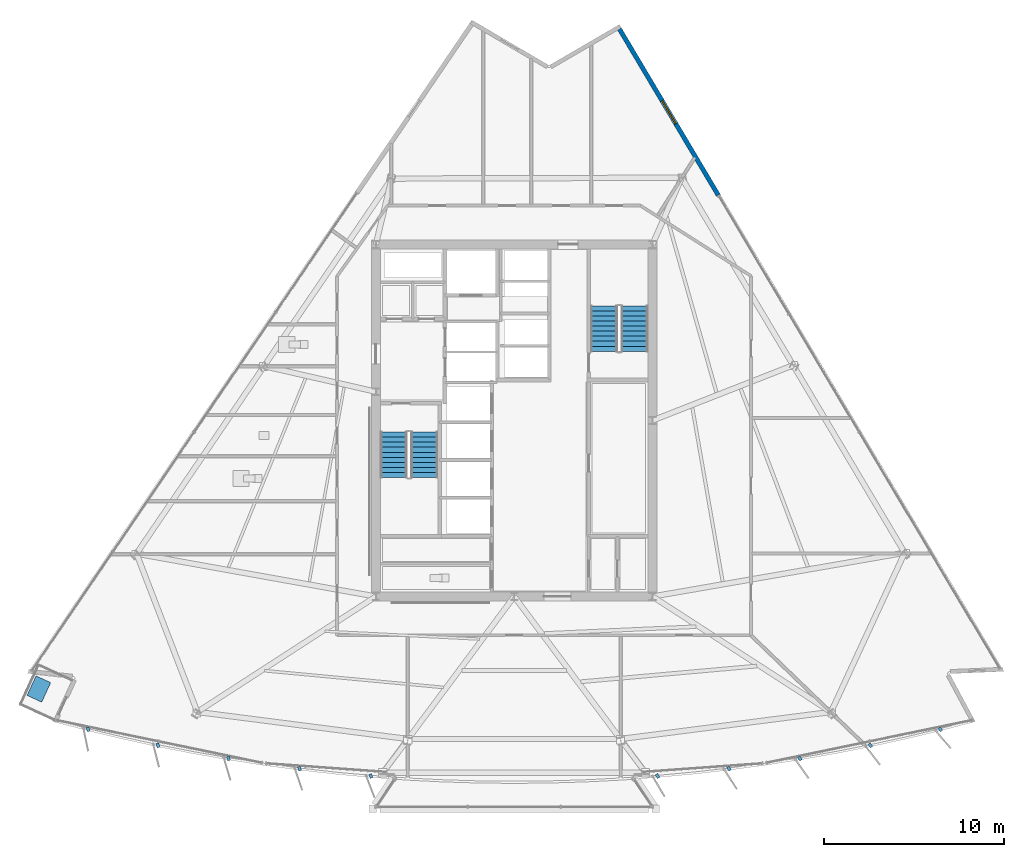
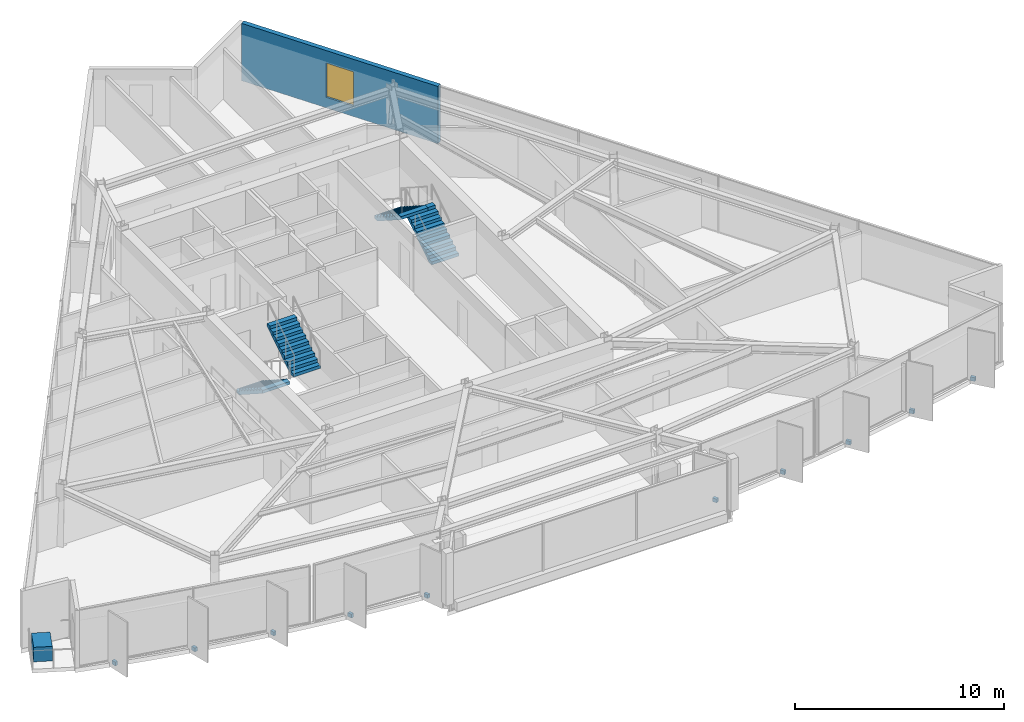
# One storey, part 11 of 16: 11 discrete accessories, 4 stair flights, 1 wall, 1 window, 1 opening, 2 elements without a shape of their own.
"""IFC4 building model written with IfcOpenShell, lengths in metres."""

from ifc_helpers import new_model, si_unit, direction, frame, frame_2d, origin, origin_2d, place, context, subcontext, project, spatial, polyline, rectangle, outline, extrude, material, layer, layer_set, type_object, element, fill, aggregate, save


model = new_model("IFC4")

# Units and contexts
model_context = context("Model", 3, precision=1e-05, world=origin(), true_north=direction((0.0, 1.0)))
body_context = subcontext(model_context, "Body", "Model", "MODEL_VIEW")
ifc_project = project(units=[si_unit("LENGTHUNIT", "METRE"), si_unit("AREAUNIT", "SQUARE_METRE"), si_unit("VOLUMEUNIT", "CUBIC_METRE"), si_unit("PLANEANGLEUNIT", "RADIAN"), si_unit("MASSUNIT", "GRAM", prefix="KILO")], contexts=[model_context])

# Site, building, storey
site_placement = place(None, origin())
site = spatial("IfcSite", under=ifc_project, at=site_placement, CompositionType="ELEMENT")
building_placement = place(site_placement, origin())
building = spatial("IfcBuilding", under=site, at=building_placement, Name="Savorim Split Tower", CompositionType="ELEMENT")
storey_placement = place(building_placement, frame((0.0, 0.0, 160.199951171875)))
storey = spatial("IfcBuildingStorey", under=building, at=storey_placement, Name="L42", CompositionType="ELEMENT", Elevation=160.199951171875)

# Wall, opening, window
ifc_material_1 = material(Name="Precast concrete C40/50", Category="concrete")
ifc_layer = layer(ifc_material_1, 0.25)
ifc_layer_set = layer_set([ifc_layer], Name="WAL-EXT-SPN250")
wall_type = type_object("IfcWallType", Name="WAL-EXT-SPN250", PredefinedType="SOLIDWALL", material=ifc_layer_set)
wall_placement = place(storey_placement, frame((5.86181640625, 22.1904296875, 0.0), z_axis=(0.0, 0.0, 1.0), x_axis=(0.511083986456, -0.859530778267, 0.0)))
wall = element("IfcWall", 1, at=wall_placement, inside=storey, type_object=wall_type, Name="L42 East Operable Window Pier", PredefinedType="SOLIDWALL", context=body_context, shape_type="SweptSolid", body=[
    extrude(rectangle(XDim=10.778076171875, YDim=0.25, at=frame_2d((5.38916015625, 0.0))), origin(), (0.0, 0.0, 1.0), 3.35009765625),
])
opening_placement = place(wall_placement, frame((4.63916015625, 0.0, 0.6201171875)))
opening = element("IfcOpeningElement", 2, at=opening_placement, cuts=wall, Name="Opening WN-06", PredefinedType="OPENING", context=body_context, shape_type="SweptSolid", body=[
    extrude(rectangle(XDim=1.5, YDim=2.0, at=frame_2d((0.75, 1.0))), frame((0.0, 0.135009765625, 0.0), z_axis=(0.0, -1.0, 0.0), x_axis=(1.0, 0.0, 0.0)), (0.0, 0.0, 1.0), 0.27001953125),
])
ifc_material_2 = material(Name="Low-E Operable Double Glazing", Category="glass")
window_type = type_object("IfcWindowType", Name="WIN-TWR-1500x2000", PartitioningType="SINGLE_PANEL", PredefinedType="WINDOW", material=ifc_material_2)
window_placement = place(opening_placement, origin())
window = element("IfcWindow", 3, at=window_placement, inside=storey, type_object=window_type, Name="L42 East Operable Ventilation Window", OverallHeight=2.0, OverallWidth=1.5, PartitioningType="SINGLE_PANEL", PredefinedType="WINDOW", context=body_context, shape_type="SweptSolid", body=[
    extrude(rectangle(XDim=1.5, YDim=2.0, at=frame_2d((0.75, 1.0))), frame((0.0, 0.030029296875, 0.0), z_axis=(0.0, -1.0, 0.0), x_axis=(1.0, 0.0, 0.0)), (0.0, 0.0, 1.0), 0.06005859375),
])
fill(opening, window)

# Stair, stair flights
ifc_material_3 = material(Name="Concrete C50/60", Category="concrete")
stair_type = type_object("IfcStairType", Name="STR-DOG-3600", PredefinedType="HALF_TURN_STAIR", material=ifc_material_3)
stair_1_placement = place(storey_placement, origin())
stair_1 = element("IfcStair", 4, at=stair_1_placement, inside=storey, type_object=stair_type, Name="L42 Core Protected Exit Stair ST-1", PredefinedType="HALF_TURN_STAIR")
stair_flight_type = type_object("IfcStairFlightType", Name="SFL-DOG-3600", PredefinedType="STRAIGHT", material=ifc_material_3)
stair_flight_1_placement = place(storey_placement, frame((-6.699951171875, -0.25, 0.0), z_axis=(0.0, 0.0, 1.0), x_axis=(0.0, -1.0, 0.0)))
stair_flight_1 = element("IfcStairFlight", 5, at=stair_flight_1_placement, type_object=stair_flight_type, Name="ST-1 flight 1", NumberOfRisers=10, NumberOfTreads=9, PredefinedType="STRAIGHT", RiserHeight=0.18, TreadLength=0.28, context=body_context, shape_type="SweptSolid", body=[
    extrude(outline(polyline([(0.0, 0.0), (0.0, 0.179931640625), (0.280029296875, 0.179931640625), (0.280029296875, 0.360107421875), (0.56005859375, 0.360107421875), (0.56005859375, 0.5400390625), (0.840087890625, 0.5400390625), (0.840087890625, 0.719970703125), (1.1201171875, 0.719970703125), (1.1201171875, 0.89990234375), (1.39990234375, 0.89990234375), (1.39990234375, 1.080078125), (1.679931640625, 1.080078125), (1.679931640625, 1.260009765625), (1.9599609375, 1.260009765625), (1.9599609375, 1.43994140625), (2.239990234375, 1.43994140625), (2.239990234375, 1.6201171875), (2.52001953125, 1.6201171875), (2.52001953125, 1.800048828125), (2.52001953125, 1.44189453125), (0.277099609375, 0.0), (0.0, 0.0)])), frame((0.0, 0.75, 0.0), z_axis=(0.0, -1.0, 0.0), x_axis=(1.0, 0.0, 0.0)), (0.0, 0.0, 1.0), 1.5),
])
stair_flight_2_placement = place(storey_placement, frame((-5.0, -2.77001953125, 1.800048828125), z_axis=(0.0, 0.0, 1.0), x_axis=(0.0, 1.0, 0.0)))
stair_flight_2 = element("IfcStairFlight", 6, at=stair_flight_2_placement, type_object=stair_flight_type, Name="ST-1 flight 2", NumberOfRisers=10, NumberOfTreads=9, PredefinedType="STRAIGHT", RiserHeight=0.18, TreadLength=0.28, context=body_context, shape_type="SweptSolid", body=[
    extrude(outline(polyline([(0.0, 0.0), (0.0, 0.179931640625), (0.280029296875, 0.179931640625), (0.280029296875, 0.360107421875), (0.56005859375, 0.360107421875), (0.56005859375, 0.5400390625), (0.840087890625, 0.5400390625), (0.840087890625, 0.719970703125), (1.1201171875, 0.719970703125), (1.1201171875, 0.89990234375), (1.39990234375, 0.89990234375), (1.39990234375, 1.080078125), (1.679931640625, 1.080078125), (1.679931640625, 1.260009765625), (1.9599609375, 1.260009765625), (1.9599609375, 1.43994140625), (2.239990234375, 1.43994140625), (2.239990234375, 1.6201171875), (2.52001953125, 1.6201171875), (2.52001953125, 1.800048828125), (2.52001953125, 1.44189453125), (0.277099609375, 0.0), (0.0, 0.0)])), frame((0.0, 0.75, 0.0), z_axis=(0.0, -1.0, 0.0), x_axis=(1.0, 0.0, 0.0)), (0.0, 0.0, 1.0), 1.5),
])
aggregate(stair_1, [stair_flight_1, stair_flight_2])

stair_2_placement = place(storey_placement, origin())
stair_2 = element("IfcStair", 7, at=stair_2_placement, inside=storey, type_object=stair_type, Name="L42 Core Protected Exit Stair ST-2", PredefinedType="HALF_TURN_STAIR")
stair_flight_3_placement = place(storey_placement, frame((6.699951171875, 4.25, 0.0), z_axis=(0.0, 0.0, 1.0), x_axis=(0.0, 1.0, 0.0)))
stair_flight_3 = element("IfcStairFlight", 8, at=stair_flight_3_placement, type_object=stair_flight_type, Name="ST-2 flight 1", NumberOfRisers=10, NumberOfTreads=9, PredefinedType="STRAIGHT", RiserHeight=0.18, TreadLength=0.28, context=body_context, shape_type="SweptSolid", body=[
    extrude(outline(polyline([(0.0, 0.0), (0.0, 0.179931640625), (0.280029296875, 0.179931640625), (0.280029296875, 0.360107421875), (0.56005859375, 0.360107421875), (0.56005859375, 0.5400390625), (0.840087890625, 0.5400390625), (0.840087890625, 0.719970703125), (1.1201171875, 0.719970703125), (1.1201171875, 0.89990234375), (1.39990234375, 0.89990234375), (1.39990234375, 1.080078125), (1.679931640625, 1.080078125), (1.679931640625, 1.260009765625), (1.9599609375, 1.260009765625), (1.9599609375, 1.43994140625), (2.239990234375, 1.43994140625), (2.239990234375, 1.6201171875), (2.52001953125, 1.6201171875), (2.52001953125, 1.800048828125), (2.52001953125, 1.44189453125), (0.277099609375, 0.0), (0.0, 0.0)])), frame((0.0, 0.75, 0.0), z_axis=(0.0, -1.0, 0.0), x_axis=(1.0, 0.0, 0.0)), (0.0, 0.0, 1.0), 1.5),
])
stair_flight_4_placement = place(storey_placement, frame((5.0, 6.77001953125, 1.800048828125), z_axis=(0.0, 0.0, 1.0), x_axis=(0.0, -1.0, 0.0)))
stair_flight_4 = element("IfcStairFlight", 9, at=stair_flight_4_placement, type_object=stair_flight_type, Name="ST-2 flight 2", NumberOfRisers=10, NumberOfTreads=9, PredefinedType="STRAIGHT", RiserHeight=0.18, TreadLength=0.28, context=body_context, shape_type="SweptSolid", body=[
    extrude(outline(polyline([(0.0, 0.0), (0.0, 0.179931640625), (0.280029296875, 0.179931640625), (0.280029296875, 0.360107421875), (0.56005859375, 0.360107421875), (0.56005859375, 0.5400390625), (0.840087890625, 0.5400390625), (0.840087890625, 0.719970703125), (1.1201171875, 0.719970703125), (1.1201171875, 0.89990234375), (1.39990234375, 0.89990234375), (1.39990234375, 1.080078125), (1.679931640625, 1.080078125), (1.679931640625, 1.260009765625), (1.9599609375, 1.260009765625), (1.9599609375, 1.43994140625), (2.239990234375, 1.43994140625), (2.239990234375, 1.6201171875), (2.52001953125, 1.6201171875), (2.52001953125, 1.800048828125), (2.52001953125, 1.44189453125), (0.277099609375, 0.0), (0.0, 0.0)])), frame((0.0, 0.75, 0.0), z_axis=(0.0, -1.0, 0.0), x_axis=(1.0, 0.0, 0.0)), (0.0, 0.0, 1.0), 1.5),
])
aggregate(stair_2, [stair_flight_3, stair_flight_4])

# Discrete accessories
ifc_material_4 = material(Name="Steel S355", Category="steel")
discrete_accessory_type_1 = type_object("IfcDiscreteAccessoryType", Name="ACC-BRK-FIN", PredefinedType="BRACKET", material=ifc_material_4)
for number, where, z_axis, x_axis, name in (
    (10, (-23.720703125, -16.79443359375, -0.18994140625), (0.0, 0.0, 1.0), (0.206721626106, -0.978399800337, 0.0), "L42 Fin Slab-Edge Cleat Bracket 01"),
    (11, (-19.828369140625, -17.685791015625, -0.18994140625), (0.0, 0.0, 1.0), (0.246581250663, -0.969122121727, 0.0), "L42 Fin Slab-Edge Cleat Bracket 02"),
    (12, (-15.902587890625, -18.4169921875, -0.18994140625), (0.0, 0.0, 1.0), (0.286026212504, -0.958221793616, 0.0), "L42 Fin Slab-Edge Cleat Bracket 03"),
    (13, (-11.950439453125, -18.987060546875, -0.18994140625), (0.0, 0.0, 1.0), (0.324993810493, -0.945716143005, 0.0), "L42 Fin Slab-Edge Cleat Bracket 04"),
    (14, (-7.97802734375, -19.39501953125, -0.18994140625), (0.0, 0.0, 1.0), (0.363415461732, -0.931627179817, 0.0), "L42 Fin Slab-Edge Cleat Bracket 05"),
    (15, (7.97802734375, -19.39501953125, -0.18994140625), (0.0, 0.0, 1.0), (0.510391336723, -0.859942255851, 0.0), "L42 Fin Slab-Edge Cleat Bracket 09"),
    (16, (11.950439453125, -18.987060546875, -0.18994140625), (0.0, 0.0, 1.0), (0.545148321708, -0.838339613366, 0.0), "L42 Fin Slab-Edge Cleat Bracket 10"),
    (17, (15.902587890625, -18.4169921875, -0.18994140625), (0.0, 0.0, 1.0), (0.578993757737, -0.815331974414, 0.0), "L42 Fin Slab-Edge Cleat Bracket 11"),
    (18, (19.828369140625, -17.685791015625, -0.18994140625), (0.0, 0.0, 1.0), (0.611868076908, -0.790959832394, 0.0), "L42 Fin Slab-Edge Cleat Bracket 12"),
    (19, (23.720703125, -16.79443359375, -0.18994140625), (0.0, 0.0, 1.0), (0.643719022682, -0.765261928909, 0.0), "L42 Fin Slab-Edge Cleat Bracket 13"),
):
    element("IfcDiscreteAccessory", number, at=place(storey_placement, frame(where, z_axis=z_axis, x_axis=x_axis)), inside=storey, type_object=discrete_accessory_type_1, Name=name, PredefinedType="BRACKET", context=body_context, shape_type="SweptSolid", body=[
        extrude(rectangle(XDim=0.239990234375, YDim=0.159912109375, at=origin_2d()), origin(), (0.0, 0.0, 1.0), 0.219970703125),
    ])
ifc_material_5 = material(Name="Architectural Precast Planter Concrete C40/50", Category="concrete")
discrete_accessory_type_2 = type_object("IfcDiscreteAccessoryType", Name="ACC-PLN-TREE", PredefinedType="USERDEFINED", material=ifc_material_5)
discrete_accessory_placement = place(storey_placement, frame((-26.4560546875, -14.548583984375, 0.0), z_axis=(0.0, 0.0, 1.0), x_axis=(-0.417494411878, -0.908679490277, 0.0)))
element("IfcDiscreteAccessory", 20, at=discrete_accessory_placement, inside=storey, type_object=discrete_accessory_type_2, Name="L42 Balcony Precast Tree Planter SW", ObjectType="PLANTER", PredefinedType="USERDEFINED", context=body_context, shape_type="SweptSolid", body=[
    extrude(rectangle(XDim=1.199951171875, YDim=0.89990234375, at=origin_2d()), origin(), (0.0, 0.0, 1.0), 0.85009765625),
])

save(model, "model.ifc")
